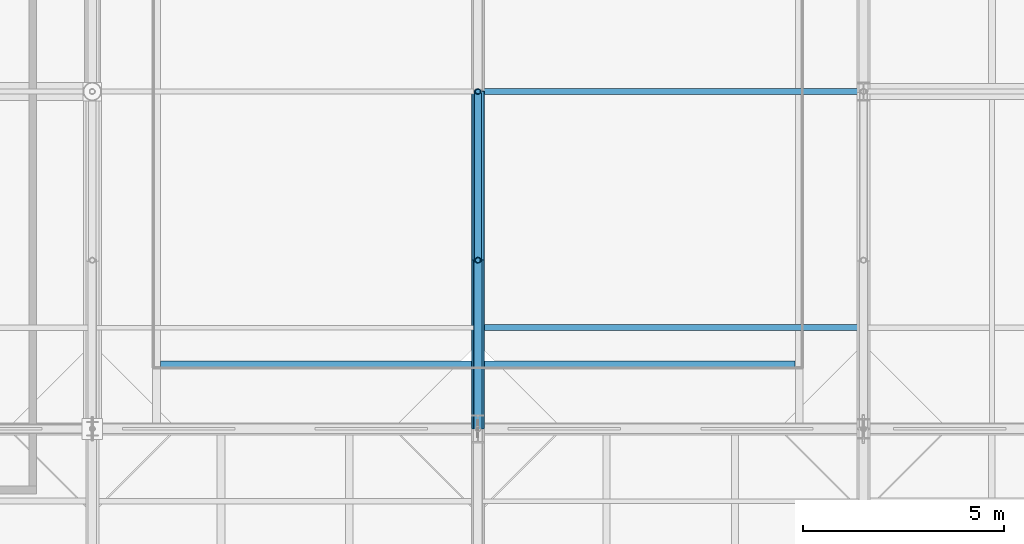
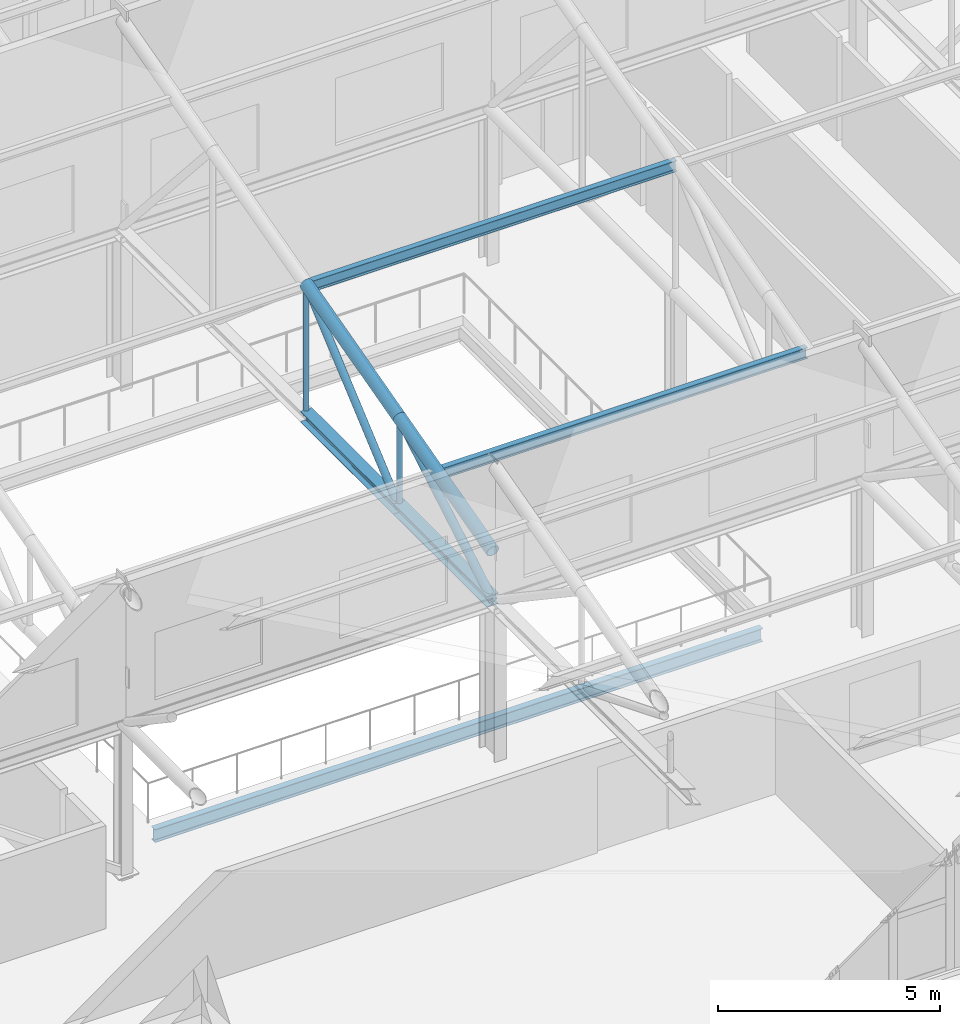
# One storey, part 26 of 89: 10 members, 1 beam.
"""IFC4 building model written with IfcOpenShell, lengths in metres."""

from ifc_helpers import new_model, si_unit, direction, frame, origin, origin_2d, place, context, subcontext, project, spatial, hollow_circle, i_section, extrude, material, material_profile, profile_set, type_object, element, save


model = new_model("IFC4")

# Units and contexts
model_context = context("Model", 3, precision=1e-05, world=origin(), true_north=direction((0.0, 1.0)))
body_context = subcontext(model_context, "Body", "Model", "MODEL_VIEW")
ifc_project = project(units=[si_unit("LENGTHUNIT", "METRE"), si_unit("AREAUNIT", "SQUARE_METRE"), si_unit("VOLUMEUNIT", "CUBIC_METRE"), si_unit("PLANEANGLEUNIT", "RADIAN"), si_unit("MASSUNIT", "GRAM", prefix="KILO")], contexts=[model_context])

# Site, building, storey
site_placement = place(None, origin())
site = spatial("IfcSite", under=ifc_project, at=site_placement, CompositionType="ELEMENT")
building_placement = place(site_placement, origin())
building = spatial("IfcBuilding", under=site, at=building_placement, Name="Zereglee Splitstone Museum", CompositionType="ELEMENT")
storey_placement = place(building_placement, frame((0.0, 0.0, 21.300048828125)))
storey = spatial("IfcBuildingStorey", under=building, at=storey_placement, Name="L04", CompositionType="ELEMENT", Elevation=21.300048828125)

# Members
ifc_material_1 = material(Name="Steel S355J2H", Category="steel")
ifc_material_profile_1 = material_profile(ifc_material_1, hollow_circle(Radius=0.096923828125, WallThickness=0.010009765625, at=origin_2d()), Name="CHS 193.7x10")
ifc_profile_set_1 = profile_set([ifc_material_profile_1], Name="Steel S355J2H")
member_type_1 = type_object("IfcMemberType", Name="TB-04", PredefinedType="BRACE", material=ifc_profile_set_1)
member_1_placement = place(storey_placement, frame((106.800048828125, 25.800048828125, 4.199951171875), z_axis=(0.0, 0.759244140748, 0.650805911728), x_axis=(-1.0, 0.0, 0.0)))
element("IfcMember", 1, at=member_1_placement, inside=storey, type_object=member_type_1, Name="Roof Truss ST-04 Diagonal 2.2", PredefinedType="BRACE", context=body_context, shape_type="SweptSolid", body=[
    extrude(hollow_circle(Radius=0.096923828125, WallThickness=0.010009765625, at=origin_2d()), origin(), (0.0, 0.0, 1.0), 5.53173828125),
])
ifc_material_profile_2 = material_profile(ifc_material_1, hollow_circle(Radius=0.109619140625, WallThickness=0.010009765625, at=origin_2d()), Name="CHS 219.1x10")
ifc_profile_set_2 = profile_set([ifc_material_profile_2], Name="Steel S355J2H")
member_type_2 = type_object("IfcMemberType", Name="TB-03", PredefinedType="BRACE", material=ifc_profile_set_2)
member_2_placement = place(storey_placement, frame((106.800048828125, 21.60009765625, 4.199951171875), z_axis=(0.0, 0.861527117747, 0.50771155727), x_axis=(-1.0, 0.0, 0.0)))
element("IfcMember", 2, at=member_2_placement, inside=storey, type_object=member_type_2, Name="Roof Truss ST-04 Diagonal 2.1", PredefinedType="BRACE", context=body_context, shape_type="SweptSolid", body=[
    extrude(hollow_circle(Radius=0.109619140625, WallThickness=0.010009765625, at=origin_2d()), origin(), (0.0, 0.0, 1.0), 4.875),
])
ifc_material_profile_3 = material_profile(ifc_material_1, hollow_circle(Radius=0.161865234375, WallThickness=0.01611328125, at=origin_2d()), Name="CHS 323.9x16")
ifc_profile_set_3 = profile_set([ifc_material_profile_3], Name="Steel S355J2H")
member_type_3 = type_object("IfcMemberType", Name="TC-05", PredefinedType="CHORD", material=ifc_profile_set_3)
for number, where, z_axis, x_axis, name in (
    (3, (106.800048828125, 21.60009765625, 5.550048828125), (0.0, 0.965947299715, 0.258738891884), (-1.0, 0.0, 0.0), "Roof Truss ST-04 Top Chord 2.1"),
    (4, (106.800048828125, 25.800048828125, 6.675048828125), (0.0, 0.965947299715, 0.258738891884), (-1.0, 0.0, 0.0), "Roof Truss ST-04 Top Chord 2.2"),
):
    element("IfcMember", number, at=place(storey_placement, frame(where, z_axis=z_axis, x_axis=x_axis)), inside=storey, type_object=member_type_3, Name=name, PredefinedType="CHORD", context=body_context, shape_type="SweptSolid", body=[
        extrude(hollow_circle(Radius=0.161865234375, WallThickness=0.01611328125, at=origin_2d()), origin(), (0.0, 0.0, 1.0), 4.347900390625),
    ])
ifc_material_2 = material(Name="Steel S355J2", Category="steel")
ifc_material_profile_4 = material_profile(ifc_material_2, i_section(OverallWidth=0.300048828125, OverallDepth=0.300048828125, WebThickness=0.010986328125, FlangeThickness=0.01904296875, FilletRadius=0.027099609375, at=origin_2d()), Name="HE 300 B")
ifc_profile_set_4 = profile_set([ifc_material_profile_4], Name="Steel S355J2")
member_type_4 = type_object("IfcMemberType", Name="TC-07", PredefinedType="CHORD", material=ifc_profile_set_4)
for number, where, z_axis, x_axis, name in (
    (5, (106.800048828125, 21.60009765625, 4.199951171875), (0.0, 1.0, 0.0), (-1.0, 0.0, 0.0), "Roof Truss ST-04 Bottom Chord 2.1"),
    (6, (106.800048828125, 25.800048828125, 4.199951171875), (0.0, 1.0, 0.0), (-1.0, 0.0, 0.0), "Roof Truss ST-04 Bottom Chord 2.2"),
):
    element("IfcMember", number, at=place(storey_placement, frame(where, z_axis=z_axis, x_axis=x_axis)), inside=storey, type_object=member_type_4, Name=name, PredefinedType="CHORD", context=body_context, shape_type="SweptSolid", body=[
        extrude(i_section(OverallWidth=0.300048828125, OverallDepth=0.300048828125, WebThickness=0.010986328125, FlangeThickness=0.01904296875, FilletRadius=0.027099609375, at=origin_2d()), origin(), (0.0, 0.0, 1.0), 4.199951171875),
    ])

# Beam
ifc_material_profile_5 = material_profile(ifc_material_2, i_section(OverallWidth=0.169921875, OverallDepth=0.360107421875, WebThickness=0.008056640625, FlangeThickness=0.0126953125, FilletRadius=0.01806640625, at=origin_2d()), Name="IPE 360")
ifc_profile_set_5 = profile_set([ifc_material_profile_5], Name="Steel S355J2")
beam_type = type_object("IfcBeamType", Name="BJ-04", PredefinedType="JOIST", material=ifc_profile_set_5)
beam_placement = place(storey_placement, frame((98.89990234375, 23.199951171875, -0.43994140625), z_axis=(1.0, 0.0, 0.0), x_axis=(0.0, 1.0, 0.0)))
element("IfcBeam", 7, at=beam_placement, inside=storey, type_object=beam_type, Name="Atrium Rim Beam L04 S", PredefinedType="JOIST", context=body_context, shape_type="SweptSolid", body=[
    extrude(i_section(OverallWidth=0.169921875, OverallDepth=0.360107421875, WebThickness=0.008056640625, FlangeThickness=0.0126953125, FilletRadius=0.01806640625, at=origin_2d()), origin(), (0.0, 0.0, 1.0), 15.800048828125),
])

# Members
ifc_material_profile_6 = material_profile(ifc_material_1, hollow_circle(Radius=0.06982421875, WallThickness=0.008056640625, at=origin_2d()), Name="CHS 139.7x8")
ifc_profile_set_6 = profile_set([ifc_material_profile_6], Name="Steel S355J2H")
member_type_5 = type_object("IfcMemberType", Name="TP-03", PredefinedType="POST", material=ifc_profile_set_6)
member_3_placement = place(storey_placement, frame((106.800048828125, 25.800048828125, 4.199951171875), z_axis=(0.0, 0.0, 1.0), x_axis=(1.0, 0.0, 0.0)))
element("IfcMember", 8, at=member_3_placement, inside=storey, type_object=member_type_5, Name="Roof Truss ST-04 Post 2.1", PredefinedType="POST", context=body_context, shape_type="SweptSolid", body=[
    extrude(hollow_circle(Radius=0.06982421875, WallThickness=0.008056640625, at=origin_2d()), origin(), (0.0, 0.0, 1.0), 2.47509765625),
])
member_4_placement = place(storey_placement, frame((106.800048828125, 30.0, 4.199951171875), z_axis=(0.0, 0.0, 1.0), x_axis=(1.0, 0.0, 0.0)))
element("IfcMember", 9, at=member_4_placement, inside=storey, type_object=member_type_5, Name="Roof Truss ST-04 Post 2.2", PredefinedType="POST", context=body_context, shape_type="SweptSolid", body=[
    extrude(hollow_circle(Radius=0.06982421875, WallThickness=0.008056640625, at=origin_2d()), origin(), (0.0, 0.0, 1.0), 3.60009765625),
])
ifc_material_profile_7 = material_profile(ifc_material_2, i_section(OverallWidth=0.14990234375, OverallDepth=0.300048828125, WebThickness=0.007080078125, FlangeThickness=0.0107421875, FilletRadius=0.014892578125, at=origin_2d()), Name="IPE 300")
ifc_profile_set_7 = profile_set([ifc_material_profile_7], Name="Steel S355J2")
member_type_6 = type_object("IfcMemberType", Name="PR-01", PredefinedType="PURLIN", material=ifc_profile_set_7)
for number, where, z_axis, x_axis, name in (
    (10, (106.800048828125, 24.1201171875, 6.14794921875), (1.0, 0.0, 0.0), (0.0, 1.0, 0.0), "Sawtooth Roof Purlin B4-S2-1"),
    (11, (106.800048828125, 30.0, 7.722900390625), (1.0, 0.0, 0.0), (0.0, 1.0, 0.0), "Sawtooth Roof Purlin B4-S2-2"),
):
    element("IfcMember", number, at=place(storey_placement, frame(where, z_axis=z_axis, x_axis=x_axis)), inside=storey, type_object=member_type_6, Name=name, PredefinedType="PURLIN", context=body_context, shape_type="SweptSolid", body=[
        extrude(i_section(OverallWidth=0.14990234375, OverallDepth=0.300048828125, WebThickness=0.007080078125, FlangeThickness=0.0107421875, FilletRadius=0.014892578125, at=origin_2d()), origin(), (0.0, 0.0, 1.0), 9.599853515625),
    ])

save(model, "model.ifc")
